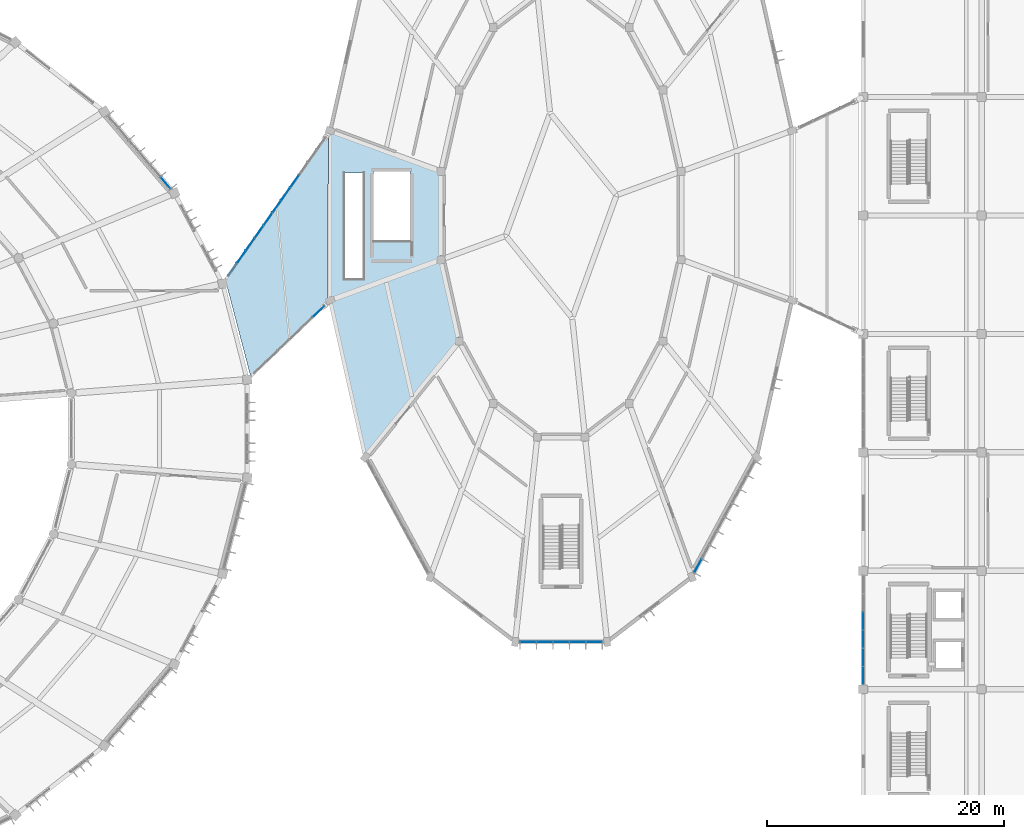
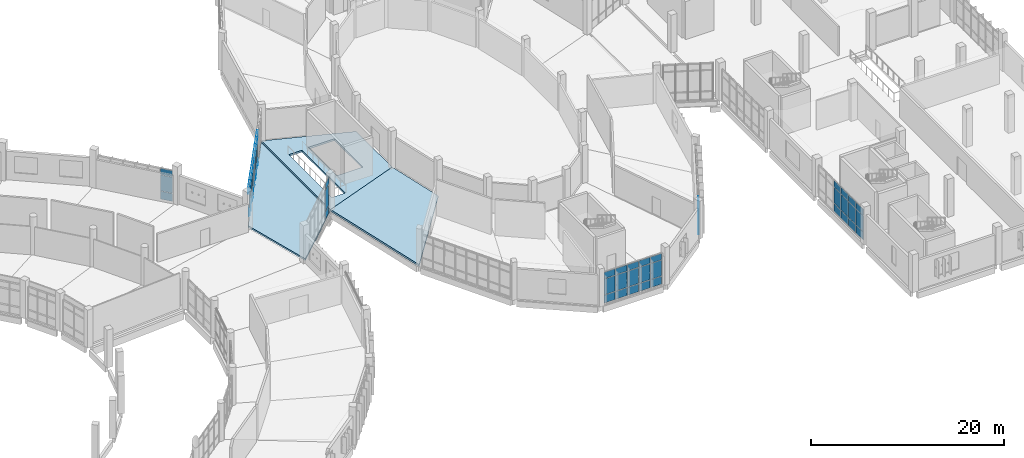
# One storey, part 100 of 179: 58 plates, 3 slabs, 6 elements without a shape of their own.
"""IFC4 building model written with IfcOpenShell, lengths in metres."""

from ifc_helpers import new_model, si_unit, direction, frame, origin, origin_2d, place, context, subcontext, project, spatial, polyline, rectangle, outline, extrude, material, layer, layer_set, type_object, element, aggregate, save


model = new_model("IFC4")

# Units and contexts
model_context = context("Model", 3, precision=1e-05, world=origin(), true_north=direction((0.0, 1.0)))
body_context = subcontext(model_context, "Body", "Model", "MODEL_VIEW")
ifc_project = project(units=[si_unit("LENGTHUNIT", "METRE"), si_unit("AREAUNIT", "SQUARE_METRE"), si_unit("VOLUMEUNIT", "CUBIC_METRE"), si_unit("PLANEANGLEUNIT", "RADIAN"), si_unit("MASSUNIT", "GRAM", prefix="KILO")], contexts=[model_context])

# Site, building, storey
site_placement = place(None, origin())
site = spatial("IfcSite", under=ifc_project, at=site_placement, CompositionType="ELEMENT")
building_placement = place(site_placement, origin())
building = spatial("IfcBuilding", under=site, at=building_placement, Name="Corvandel Quay Wholesale Market", CompositionType="ELEMENT")
storey_placement = place(building_placement, frame((0.0, 0.0, 6.0)))
storey = spatial("IfcBuildingStorey", under=building, at=storey_placement, Name="L01", CompositionType="ELEMENT", Elevation=6.0)

# Curtain wall, plate
ifc_material_1 = material(Name="Bronze anodised aluminium and low-E insulated glazing", Category="aluminium")
ifc_layer_1 = layer(ifc_material_1, 0.174072265625)
ifc_layer_set_1 = layer_set([ifc_layer_1], Name="Bronze anodised aluminium and low-E insulated glazing")
curtain_wall_type_1 = type_object("IfcCurtainWallType", Name="Stick Curtain Wall System CW07 H3630", PredefinedType="NOTDEFINED", material=ifc_layer_set_1)
curtain_wall_1_placement = place(storey_placement, origin())
curtain_wall_1 = element("IfcCurtainWall", 1, at=curtain_wall_1_placement, inside=storey, type_object=curtain_wall_type_1, Name="Curtain Wall CW-0006", PredefinedType="NOTDEFINED")
ifc_material_2 = material(Name="Solar-control low-E insulated glazing", Category="glass")
ifc_layer_2 = layer(ifc_material_2, 0.0400390625)
ifc_layer_set_2 = layer_set([ifc_layer_2], Name="Solar-control low-E insulated glazing")
plate_type_1 = type_object("IfcPlateType", Name="Ceramic Fritted Spandrel Panel PN03 40mm", PredefinedType="CURTAIN_PANEL", material=ifc_layer_set_2)
plate_1_placement = place(storey_placement, frame((161.1171875, 62.751708984375, 3.1298828125), z_axis=(0.0, 0.0, 1.0), x_axis=(-0.651568967347, 0.758589401976, 0.0)))
plate_1 = element("IfcPlate", 2, at=plate_1_placement, type_object=plate_type_1, Name="Glazing Panel CW-0006-P00-2", PredefinedType="CURTAIN_PANEL", context=body_context, shape_type="SweptSolid", body=[
    extrude(rectangle(XDim=1.29638671875, YDim=0.0400390625, at=origin_2d()), origin(), (0.0, 0.0, 1.0), 0.7900390625),
])

# Curtain wall, plates
ifc_layer_3 = layer(ifc_material_1, 0.162109375)
ifc_layer_set_3 = layer_set([ifc_layer_3], Name="Bronze anodised aluminium and low-E insulated glazing")
curtain_wall_type_2 = type_object("IfcCurtainWallType", Name="Stick Curtain Wall System CW21 H4890", PredefinedType="NOTDEFINED", material=ifc_layer_set_3)
curtain_wall_2_placement = place(storey_placement, origin())
curtain_wall_2 = element("IfcCurtainWall", 3, at=curtain_wall_2_placement, inside=storey, type_object=curtain_wall_type_2, Name="Curtain Wall CW-0138", PredefinedType="NOTDEFINED")
plate_2_placement = place(storey_placement, frame((191.716796875, 24.0, 3.1298828125), z_axis=(0.0, 0.0, 1.0), x_axis=(1.0, 0.0, 0.0)))
plate_2 = element("IfcPlate", 4, at=plate_2_placement, type_object=plate_type_1, Name="Glazing Panel CW-0138-P00-2", PredefinedType="CURTAIN_PANEL", context=body_context, shape_type="SweptSolid", body=[
    extrude(rectangle(XDim=1.32666015625, YDim=0.0400390625, at=origin_2d()), origin(), (0.0, 0.0, 1.0), 0.7900390625),
])
plate_3_placement = place(storey_placement, frame((193.1083984375, 24.0, 3.1298828125), z_axis=(0.0, 0.0, 1.0), x_axis=(1.0, 0.0, 0.0)))
plate_3 = element("IfcPlate", 5, at=plate_3_placement, type_object=plate_type_1, Name="Glazing Panel CW-0138-P01-2", PredefinedType="CURTAIN_PANEL", context=body_context, shape_type="SweptSolid", body=[
    extrude(rectangle(XDim=1.32666015625, YDim=0.0400390625, at=origin_2d()), origin(), (0.0, 0.0, 1.0), 0.7900390625),
])
plate_4_placement = place(storey_placement, frame((194.5, 24.0, 3.1298828125), z_axis=(0.0, 0.0, 1.0), x_axis=(1.0, 0.0, 0.0)))
plate_4 = element("IfcPlate", 6, at=plate_4_placement, type_object=plate_type_1, Name="Glazing Panel CW-0138-P02-2", PredefinedType="CURTAIN_PANEL", context=body_context, shape_type="SweptSolid", body=[
    extrude(rectangle(XDim=1.32666015625, YDim=0.0400390625, at=origin_2d()), origin(), (0.0, 0.0, 1.0), 0.7900390625),
])
plate_5_placement = place(storey_placement, frame((195.8916015625, 24.0, 3.1298828125), z_axis=(0.0, 0.0, 1.0), x_axis=(1.0, 0.0, 0.0)))
plate_5 = element("IfcPlate", 7, at=plate_5_placement, type_object=plate_type_1, Name="Glazing Panel CW-0138-P03-2", PredefinedType="CURTAIN_PANEL", context=body_context, shape_type="SweptSolid", body=[
    extrude(rectangle(XDim=1.32666015625, YDim=0.0400390625, at=origin_2d()), origin(), (0.0, 0.0, 1.0), 0.7900390625),
])
plate_6_placement = place(storey_placement, frame((197.283203125, 24.0, 3.1298828125), z_axis=(0.0, 0.0, 1.0), x_axis=(1.0, 0.0, 0.0)))
plate_6 = element("IfcPlate", 8, at=plate_6_placement, type_object=plate_type_1, Name="Glazing Panel CW-0138-P04-2", PredefinedType="CURTAIN_PANEL", context=body_context, shape_type="SweptSolid", body=[
    extrude(rectangle(XDim=1.32666015625, YDim=0.0400390625, at=origin_2d()), origin(), (0.0, 0.0, 1.0), 0.7900390625),
])

# Curtain wall, plate
ifc_layer_4 = layer(ifc_material_1, 0.18603515625)
ifc_layer_set_4 = layer_set([ifc_layer_4], Name="Bronze anodised aluminium and low-E insulated glazing")
curtain_wall_type_3 = type_object("IfcCurtainWallType", Name="Stick Curtain Wall System CW23 H5070", PredefinedType="NOTDEFINED", material=ifc_layer_set_4)
curtain_wall_3_placement = place(storey_placement, origin())
curtain_wall_3 = element("IfcCurtainWall", 9, at=curtain_wall_3_placement, inside=storey, type_object=curtain_wall_type_3, Name="Curtain Wall CW-0140", PredefinedType="NOTDEFINED")
plate_7_placement = place(storey_placement, frame((206.055419921875, 30.421630859375, 3.1298828125), z_axis=(0.0, 0.0, 1.0), x_axis=(0.476238203668, 0.879316310191, 0.0)))
plate_7 = element("IfcPlate", 10, at=plate_7_placement, type_object=plate_type_1, Name="Glazing Panel CW-0140-P00-2", PredefinedType="CURTAIN_PANEL", context=body_context, shape_type="SweptSolid", body=[
    extrude(rectangle(XDim=1.274658203125, YDim=0.0400390625, at=origin_2d()), origin(), (0.0, 0.0, 1.0), 0.7900390625),
])

# Curtain wall, plates
ifc_layer_5 = layer(ifc_material_1, 0.14990234375)
ifc_layer_set_5 = layer_set([ifc_layer_5], Name="Bronze anodised aluminium and low-E insulated glazing")
curtain_wall_type_4 = type_object("IfcCurtainWallType", Name="Stick Curtain Wall System CW20 H4800", PredefinedType="NOTDEFINED", material=ifc_layer_set_5)
curtain_wall_4_placement = place(storey_placement, origin())
curtain_wall_4 = element("IfcCurtainWall", 11, at=curtain_wall_4_placement, inside=storey, type_object=curtain_wall_type_4, Name="Curtain Wall CW-0150", PredefinedType="NOTDEFINED")
plate_8_placement = place(storey_placement, frame((220.0, 21.166748046875, 3.1298828125), z_axis=(0.0, 0.0, 1.0), x_axis=(0.0, 1.0, 0.0)))
plate_8 = element("IfcPlate", 12, at=plate_8_placement, type_object=plate_type_1, Name="Glazing Panel CW-0150-P00-2", PredefinedType="CURTAIN_PANEL", context=body_context, shape_type="SweptSolid", body=[
    extrude(rectangle(XDim=1.46826171875, YDim=0.0400390625, at=origin_2d()), origin(), (0.0, 0.0, 1.0), 0.7900390625),
])
plate_9_placement = place(storey_placement, frame((220.0, 22.699951171875, 3.1298828125), z_axis=(0.0, 0.0, 1.0), x_axis=(0.0, 1.0, 0.0)))
plate_9 = element("IfcPlate", 13, at=plate_9_placement, type_object=plate_type_1, Name="Glazing Panel CW-0150-P01-2", PredefinedType="CURTAIN_PANEL", context=body_context, shape_type="SweptSolid", body=[
    extrude(rectangle(XDim=1.46826171875, YDim=0.0400390625, at=origin_2d()), origin(), (0.0, 0.0, 1.0), 0.7900390625),
])
plate_10_placement = place(storey_placement, frame((220.0, 24.2333984375, 3.1298828125), z_axis=(0.0, 0.0, 1.0), x_axis=(0.0, 1.0, 0.0)))
plate_10 = element("IfcPlate", 14, at=plate_10_placement, type_object=plate_type_1, Name="Glazing Panel CW-0150-P02-2", PredefinedType="CURTAIN_PANEL", context=body_context, shape_type="SweptSolid", body=[
    extrude(rectangle(XDim=1.46826171875, YDim=0.0400390625, at=origin_2d()), origin(), (0.0, 0.0, 1.0), 0.7900390625),
])
plate_11_placement = place(storey_placement, frame((220.0, 25.7666015625, 3.1298828125), z_axis=(0.0, 0.0, 1.0), x_axis=(0.0, 1.0, 0.0)))
plate_11 = element("IfcPlate", 15, at=plate_11_placement, type_object=plate_type_1, Name="Glazing Panel CW-0150-P03-2", PredefinedType="CURTAIN_PANEL", context=body_context, shape_type="SweptSolid", body=[
    extrude(rectangle(XDim=1.46826171875, YDim=0.0400390625, at=origin_2d()), origin(), (0.0, 0.0, 1.0), 0.7900390625),
])

# Curtain wall, plate
ifc_layer_6 = layer(ifc_material_1, 0.14990234375)
ifc_layer_set_6 = layer_set([ifc_layer_6], Name="Bronze anodised aluminium and low-E insulated glazing")
curtain_wall_type_5 = type_object("IfcCurtainWallType", Name="Stick Curtain Wall System CW25 H5250", PredefinedType="NOTDEFINED", material=ifc_layer_set_6)
curtain_wall_5_placement = place(storey_placement, origin())
curtain_wall_5 = element("IfcCurtainWall", 16, at=curtain_wall_5_placement, inside=storey, type_object=curtain_wall_type_5, Name="Curtain Wall CW-0176", PredefinedType="NOTDEFINED")
plate_12_placement = place(storey_placement, frame((174.02392578125, 51.904296875, 3.7275390625), z_axis=(0.0, 0.0, 1.0), x_axis=(0.72236396206, 0.691513055782, 0.0)))
plate_12 = element("IfcPlate", 17, at=plate_12_placement, type_object=plate_type_1, Name="Glazing Panel CW-0176-P05-2", PredefinedType="CURTAIN_PANEL", context=body_context, shape_type="SweptSolid", body=[
    extrude(rectangle(XDim=1.312744140625, YDim=0.0400390625, at=origin_2d()), origin(), (0.0, 0.0, 1.0), 0.794921875),
])

# Curtain wall, plates
ifc_layer_7 = layer(ifc_material_1, 0.162109375)
ifc_layer_set_7 = layer_set([ifc_layer_7], Name="Bronze anodised aluminium and low-E insulated glazing")
curtain_wall_type_6 = type_object("IfcCurtainWallType", Name="Stick Curtain Wall System CW26 H5340", PredefinedType="NOTDEFINED", material=ifc_layer_set_7)
curtain_wall_6_placement = place(storey_placement, origin())
curtain_wall_6 = element("IfcCurtainWall", 18, at=curtain_wall_6_placement, inside=storey, type_object=curtain_wall_type_6, Name="Curtain Wall CW-0177", PredefinedType="NOTDEFINED")
plate_13_placement = place(storey_placement, frame((166.75390625, 55.43017578125, 3.7275390625), z_axis=(0.0, 0.0, 1.0), x_axis=(0.575148037348, 0.818049347616, 0.0)))
plate_13 = element("IfcPlate", 19, at=plate_13_placement, type_object=plate_type_1, Name="Glazing Panel CW-0177-P00-2", PredefinedType="CURTAIN_PANEL", context=body_context, shape_type="SweptSolid", body=[
    extrude(rectangle(XDim=1.2421875, YDim=0.0400390625, at=origin_2d()), origin(), (0.0, 0.0, 1.0), 0.794921875),
])
plate_14_placement = place(storey_placement, frame((167.502685546875, 56.49560546875, 3.7275390625), z_axis=(0.0, 0.0, 1.0), x_axis=(0.575148037348, 0.818049347616, 0.0)))
plate_14 = element("IfcPlate", 20, at=plate_14_placement, type_object=plate_type_1, Name="Glazing Panel CW-0177-P01-2", PredefinedType="CURTAIN_PANEL", context=body_context, shape_type="SweptSolid", body=[
    extrude(rectangle(XDim=1.2421875, YDim=0.0400390625, at=origin_2d()), origin(), (0.0, 0.0, 1.0), 0.794921875),
])
plate_15_placement = place(storey_placement, frame((168.251708984375, 57.560791015625, 3.7275390625), z_axis=(0.0, 0.0, 1.0), x_axis=(0.575148037348, 0.818049347616, 0.0)))
plate_15 = element("IfcPlate", 21, at=plate_15_placement, type_object=plate_type_1, Name="Glazing Panel CW-0177-P02-2", PredefinedType="CURTAIN_PANEL", context=body_context, shape_type="SweptSolid", body=[
    extrude(rectangle(XDim=1.2421875, YDim=0.0400390625, at=origin_2d()), origin(), (0.0, 0.0, 1.0), 0.794921875),
])
plate_16_placement = place(storey_placement, frame((169.00048828125, 58.626220703125, 3.7275390625), z_axis=(0.0, 0.0, 1.0), x_axis=(0.575148037348, 0.818049347616, 0.0)))
plate_16 = element("IfcPlate", 22, at=plate_16_placement, type_object=plate_type_1, Name="Glazing Panel CW-0177-P03-2", PredefinedType="CURTAIN_PANEL", context=body_context, shape_type="SweptSolid", body=[
    extrude(rectangle(XDim=1.2421875, YDim=0.0400390625, at=origin_2d()), origin(), (0.0, 0.0, 1.0), 0.794921875),
])
plate_17_placement = place(storey_placement, frame((169.74951171875, 59.691650390625, 3.7275390625), z_axis=(0.0, 0.0, 1.0), x_axis=(0.575148037348, 0.818049347616, 0.0)))
plate_17 = element("IfcPlate", 23, at=plate_17_placement, type_object=plate_type_1, Name="Glazing Panel CW-0177-P04-2", PredefinedType="CURTAIN_PANEL", context=body_context, shape_type="SweptSolid", body=[
    extrude(rectangle(XDim=1.2421875, YDim=0.0400390625, at=origin_2d()), origin(), (0.0, 0.0, 1.0), 0.794921875),
])
plate_18_placement = place(storey_placement, frame((170.498291015625, 60.757080078125, 3.7275390625), z_axis=(0.0, 0.0, 1.0), x_axis=(0.575148037348, 0.818049347616, 0.0)))
plate_18 = element("IfcPlate", 24, at=plate_18_placement, type_object=plate_type_1, Name="Glazing Panel CW-0177-P05-2", PredefinedType="CURTAIN_PANEL", context=body_context, shape_type="SweptSolid", body=[
    extrude(rectangle(XDim=1.2421875, YDim=0.0400390625, at=origin_2d()), origin(), (0.0, 0.0, 1.0), 0.794921875),
])
plate_19_placement = place(storey_placement, frame((171.247314453125, 61.822509765625, 3.7275390625), z_axis=(0.0, 0.0, 1.0), x_axis=(0.575148037348, 0.818049347616, 0.0)))
plate_19 = element("IfcPlate", 25, at=plate_19_placement, type_object=plate_type_1, Name="Glazing Panel CW-0177-P06-2", PredefinedType="CURTAIN_PANEL", context=body_context, shape_type="SweptSolid", body=[
    extrude(rectangle(XDim=1.2421875, YDim=0.0400390625, at=origin_2d()), origin(), (0.0, 0.0, 1.0), 0.794921875),
])
plate_20_placement = place(storey_placement, frame((171.996337890625, 62.887939453125, 3.7275390625), z_axis=(0.0, 0.0, 1.0), x_axis=(0.575148037348, 0.818049347616, 0.0)))
plate_20 = element("IfcPlate", 26, at=plate_20_placement, type_object=plate_type_1, Name="Glazing Panel CW-0177-P07-2", PredefinedType="CURTAIN_PANEL", context=body_context, shape_type="SweptSolid", body=[
    extrude(rectangle(XDim=1.2421875, YDim=0.0400390625, at=origin_2d()), origin(), (0.0, 0.0, 1.0), 0.794921875),
])

# Slabs
ifc_material_3 = material(Name="Precast concrete C45/55", Category="concrete")
ifc_layer_8 = layer(ifc_material_3, 0.219970703125)
ifc_layer_set_8 = layer_set([ifc_layer_8], Name="Precast concrete C45/55")
slab_type_1 = type_object("IfcSlabType", Name="Composite Precast Office Floor Slab 220", PredefinedType="FLOOR", material=ifc_layer_set_8)
slab_1_placement = place(storey_placement, frame((0.0, 0.0, -0.219970703125)))
element("IfcSlab", 27, at=slab_1_placement, inside=storey, type_object=slab_type_1, Name="Slab SLB-0481", PredefinedType="FLOOR", context=body_context, shape_type="SweptSolid", body=[
    extrude(outline(polyline([(168.281982421875, 46.406982421875), (174.80908203125, 52.656005859375), (174.847900390625, 66.944091796875), (166.14892578125, 54.570068359375), (168.281982421875, 46.406982421875)])), origin(), (0.0, 0.0, 1.0), 0.219970703125),
])
ifc_material_4 = material(Name="Concrete C40/50", Category="concrete")
ifc_layer_9 = layer(ifc_material_4, 0.239990234375)
ifc_layer_set_9 = layer_set([ifc_layer_9], Name="Concrete C40/50")
slab_type_2 = type_object("IfcSlabType", Name="Composite Raked Auction Tier Slab 240", PredefinedType="FLOOR", material=ifc_layer_set_9)
slab_2_placement = place(storey_placement, frame((0.0, 0.0, -0.239990234375)))
element("IfcSlab", 28, at=slab_2_placement, inside=storey, type_object=slab_type_2, Name="Slab SLB-0412", PredefinedType="FLOOR", context=body_context, shape_type="SweptSolid", body=[
    extrude(outline(polyline([(184.360107421875, 63.72412109375), (184.360107421875, 56.27587890625), (175.0, 52.839111328125), (175.0, 67.160888671875), (184.360107421875, 63.72412109375)]), holes=[polyline([(177.800048828125, 54.64990234375), (177.800048828125, 63.580078125), (176.199951171875, 63.580078125), (176.199951171875, 54.64990234375), (177.800048828125, 54.64990234375)]), polyline([(181.75, 57.800048828125), (181.75, 63.699951171875), (178.64990234375, 63.699951171875), (178.64990234375, 57.800048828125), (181.75, 57.800048828125)])]), origin(), (0.0, 0.0, 1.0), 0.239990234375),
])
slab_3_placement = place(storey_placement, frame((0.0, 0.0, -0.239990234375)))
element("IfcSlab", 29, at=slab_3_placement, inside=storey, type_object=slab_type_2, Name="Slab SLB-0416", PredefinedType="FLOOR", context=body_context, shape_type="SweptSolid", body=[
    extrude(outline(polyline([(184.360107421875, 56.27587890625), (185.904052734375, 49.39599609375), (177.968994140625, 39.60791015625), (175.0, 52.839111328125), (184.360107421875, 56.27587890625)])), origin(), (0.0, 0.0, 1.0), 0.239990234375),
])

# Plate
ifc_layer_10 = layer(ifc_material_2, 0.028076171875)
ifc_layer_set_10 = layer_set([ifc_layer_10], Name="Solar-control low-E insulated glazing")
plate_type_2 = type_object("IfcPlateType", Name="Double Low-E Vision Panel PN01 28mm", PredefinedType="CURTAIN_PANEL", material=ifc_layer_set_10)
plate_21_placement = place(storey_placement, frame((161.1171875, 62.751708984375, 0.02978515625), z_axis=(0.0, 0.0, 1.0), x_axis=(-0.651568967347, 0.758589401976, 0.0)))
plate_21 = element("IfcPlate", 30, at=plate_21_placement, type_object=plate_type_2, Name="Glazing Panel CW-0006-P00-0", PredefinedType="CURTAIN_PANEL", context=body_context, shape_type="SweptSolid", body=[
    extrude(rectangle(XDim=1.29638671875, YDim=0.028076171875, at=origin_2d()), origin(), (0.0, 0.0, 1.0), 0.989990234375),
])

plate_22_placement = place(storey_placement, frame((161.1171875, 62.751708984375, 1.080078125), z_axis=(0.0, 0.0, 1.0), x_axis=(-0.651568967347, 0.758589401976, 0.0)))
plate_22 = element("IfcPlate", 31, at=plate_22_placement, type_object=plate_type_2, Name="Glazing Panel CW-0006-P00-1", PredefinedType="CURTAIN_PANEL", context=body_context, shape_type="SweptSolid", body=[
    extrude(rectangle(XDim=1.29638671875, YDim=0.028076171875, at=origin_2d()), origin(), (0.0, 0.0, 1.0), 1.989990234375),
])

aggregate(curtain_wall_1, [plate_21, plate_22, plate_1])

plate_23_placement = place(storey_placement, frame((191.716796875, 24.0, 0.02978515625), z_axis=(0.0, 0.0, 1.0), x_axis=(1.0, 0.0, 0.0)))
plate_23 = element("IfcPlate", 32, at=plate_23_placement, type_object=plate_type_2, Name="Glazing Panel CW-0138-P00-0", PredefinedType="CURTAIN_PANEL", context=body_context, shape_type="SweptSolid", body=[
    extrude(rectangle(XDim=1.32666015625, YDim=0.028076171875, at=origin_2d()), origin(), (0.0, 0.0, 1.0), 0.989990234375),
])

plate_24_placement = place(storey_placement, frame((191.716796875, 24.0, 1.080078125), z_axis=(0.0, 0.0, 1.0), x_axis=(1.0, 0.0, 0.0)))
plate_24 = element("IfcPlate", 33, at=plate_24_placement, type_object=plate_type_2, Name="Glazing Panel CW-0138-P00-1", PredefinedType="CURTAIN_PANEL", context=body_context, shape_type="SweptSolid", body=[
    extrude(rectangle(XDim=1.32666015625, YDim=0.028076171875, at=origin_2d()), origin(), (0.0, 0.0, 1.0), 1.989990234375),
])

plate_25_placement = place(storey_placement, frame((193.1083984375, 24.0, 0.02978515625), z_axis=(0.0, 0.0, 1.0), x_axis=(1.0, 0.0, 0.0)))
plate_25 = element("IfcPlate", 34, at=plate_25_placement, type_object=plate_type_2, Name="Glazing Panel CW-0138-P01-0", PredefinedType="CURTAIN_PANEL", context=body_context, shape_type="SweptSolid", body=[
    extrude(rectangle(XDim=1.32666015625, YDim=0.028076171875, at=origin_2d()), origin(), (0.0, 0.0, 1.0), 0.989990234375),
])

plate_26_placement = place(storey_placement, frame((193.1083984375, 24.0, 1.080078125), z_axis=(0.0, 0.0, 1.0), x_axis=(1.0, 0.0, 0.0)))
plate_26 = element("IfcPlate", 35, at=plate_26_placement, type_object=plate_type_2, Name="Glazing Panel CW-0138-P01-1", PredefinedType="CURTAIN_PANEL", context=body_context, shape_type="SweptSolid", body=[
    extrude(rectangle(XDim=1.32666015625, YDim=0.028076171875, at=origin_2d()), origin(), (0.0, 0.0, 1.0), 1.989990234375),
])

plate_27_placement = place(storey_placement, frame((194.5, 24.0, 0.02978515625), z_axis=(0.0, 0.0, 1.0), x_axis=(1.0, 0.0, 0.0)))
plate_27 = element("IfcPlate", 36, at=plate_27_placement, type_object=plate_type_2, Name="Glazing Panel CW-0138-P02-0", PredefinedType="CURTAIN_PANEL", context=body_context, shape_type="SweptSolid", body=[
    extrude(rectangle(XDim=1.32666015625, YDim=0.028076171875, at=origin_2d()), origin(), (0.0, 0.0, 1.0), 0.989990234375),
])

plate_28_placement = place(storey_placement, frame((194.5, 24.0, 1.080078125), z_axis=(0.0, 0.0, 1.0), x_axis=(1.0, 0.0, 0.0)))
plate_28 = element("IfcPlate", 37, at=plate_28_placement, type_object=plate_type_2, Name="Glazing Panel CW-0138-P02-1", PredefinedType="CURTAIN_PANEL", context=body_context, shape_type="SweptSolid", body=[
    extrude(rectangle(XDim=1.32666015625, YDim=0.028076171875, at=origin_2d()), origin(), (0.0, 0.0, 1.0), 1.989990234375),
])

plate_29_placement = place(storey_placement, frame((195.8916015625, 24.0, 0.02978515625), z_axis=(0.0, 0.0, 1.0), x_axis=(1.0, 0.0, 0.0)))
plate_29 = element("IfcPlate", 38, at=plate_29_placement, type_object=plate_type_2, Name="Glazing Panel CW-0138-P03-0", PredefinedType="CURTAIN_PANEL", context=body_context, shape_type="SweptSolid", body=[
    extrude(rectangle(XDim=1.32666015625, YDim=0.028076171875, at=origin_2d()), origin(), (0.0, 0.0, 1.0), 0.989990234375),
])

plate_30_placement = place(storey_placement, frame((195.8916015625, 24.0, 1.080078125), z_axis=(0.0, 0.0, 1.0), x_axis=(1.0, 0.0, 0.0)))
plate_30 = element("IfcPlate", 39, at=plate_30_placement, type_object=plate_type_2, Name="Glazing Panel CW-0138-P03-1", PredefinedType="CURTAIN_PANEL", context=body_context, shape_type="SweptSolid", body=[
    extrude(rectangle(XDim=1.32666015625, YDim=0.028076171875, at=origin_2d()), origin(), (0.0, 0.0, 1.0), 1.989990234375),
])

plate_31_placement = place(storey_placement, frame((197.283203125, 24.0, 0.02978515625), z_axis=(0.0, 0.0, 1.0), x_axis=(1.0, 0.0, 0.0)))
plate_31 = element("IfcPlate", 40, at=plate_31_placement, type_object=plate_type_2, Name="Glazing Panel CW-0138-P04-0", PredefinedType="CURTAIN_PANEL", context=body_context, shape_type="SweptSolid", body=[
    extrude(rectangle(XDim=1.32666015625, YDim=0.028076171875, at=origin_2d()), origin(), (0.0, 0.0, 1.0), 0.989990234375),
])

plate_32_placement = place(storey_placement, frame((197.283203125, 24.0, 1.080078125), z_axis=(0.0, 0.0, 1.0), x_axis=(1.0, 0.0, 0.0)))
plate_32 = element("IfcPlate", 41, at=plate_32_placement, type_object=plate_type_2, Name="Glazing Panel CW-0138-P04-1", PredefinedType="CURTAIN_PANEL", context=body_context, shape_type="SweptSolid", body=[
    extrude(rectangle(XDim=1.32666015625, YDim=0.028076171875, at=origin_2d()), origin(), (0.0, 0.0, 1.0), 1.989990234375),
])

aggregate(curtain_wall_2, [plate_23, plate_24, plate_2, plate_25, plate_26, plate_3, plate_27, plate_28, plate_4, plate_29, plate_30, plate_5, plate_31, plate_32, plate_6])

plate_33_placement = place(storey_placement, frame((206.055419921875, 30.421630859375, 0.02978515625), z_axis=(0.0, 0.0, 1.0), x_axis=(0.476238203668, 0.879316310191, 0.0)))
plate_33 = element("IfcPlate", 42, at=plate_33_placement, type_object=plate_type_2, Name="Glazing Panel CW-0140-P00-0", PredefinedType="CURTAIN_PANEL", context=body_context, shape_type="SweptSolid", body=[
    extrude(rectangle(XDim=1.274658203125, YDim=0.028076171875, at=origin_2d()), origin(), (0.0, 0.0, 1.0), 0.989990234375),
])

plate_34_placement = place(storey_placement, frame((206.055419921875, 30.421630859375, 1.080078125), z_axis=(0.0, 0.0, 1.0), x_axis=(0.476238203668, 0.879316310191, 0.0)))
plate_34 = element("IfcPlate", 43, at=plate_34_placement, type_object=plate_type_2, Name="Glazing Panel CW-0140-P00-1", PredefinedType="CURTAIN_PANEL", context=body_context, shape_type="SweptSolid", body=[
    extrude(rectangle(XDim=1.274658203125, YDim=0.028076171875, at=origin_2d()), origin(), (0.0, 0.0, 1.0), 1.989990234375),
])

aggregate(curtain_wall_3, [plate_33, plate_34, plate_7])

plate_35_placement = place(storey_placement, frame((220.0, 21.166748046875, 0.02978515625), z_axis=(0.0, 0.0, 1.0), x_axis=(0.0, 1.0, 0.0)))
plate_35 = element("IfcPlate", 44, at=plate_35_placement, type_object=plate_type_2, Name="Glazing Panel CW-0150-P00-0", PredefinedType="CURTAIN_PANEL", context=body_context, shape_type="SweptSolid", body=[
    extrude(rectangle(XDim=1.46826171875, YDim=0.028076171875, at=origin_2d()), origin(), (0.0, 0.0, 1.0), 0.989990234375),
])

plate_36_placement = place(storey_placement, frame((220.0, 21.166748046875, 1.080078125), z_axis=(0.0, 0.0, 1.0), x_axis=(0.0, 1.0, 0.0)))
plate_36 = element("IfcPlate", 45, at=plate_36_placement, type_object=plate_type_2, Name="Glazing Panel CW-0150-P00-1", PredefinedType="CURTAIN_PANEL", context=body_context, shape_type="SweptSolid", body=[
    extrude(rectangle(XDim=1.46826171875, YDim=0.028076171875, at=origin_2d()), origin(), (0.0, 0.0, 1.0), 1.989990234375),
])

plate_37_placement = place(storey_placement, frame((220.0, 22.699951171875, 0.02978515625), z_axis=(0.0, 0.0, 1.0), x_axis=(0.0, 1.0, 0.0)))
plate_37 = element("IfcPlate", 46, at=plate_37_placement, type_object=plate_type_2, Name="Glazing Panel CW-0150-P01-0", PredefinedType="CURTAIN_PANEL", context=body_context, shape_type="SweptSolid", body=[
    extrude(rectangle(XDim=1.46826171875, YDim=0.028076171875, at=origin_2d()), origin(), (0.0, 0.0, 1.0), 0.989990234375),
])

plate_38_placement = place(storey_placement, frame((220.0, 22.699951171875, 1.080078125), z_axis=(0.0, 0.0, 1.0), x_axis=(0.0, 1.0, 0.0)))
plate_38 = element("IfcPlate", 47, at=plate_38_placement, type_object=plate_type_2, Name="Glazing Panel CW-0150-P01-1", PredefinedType="CURTAIN_PANEL", context=body_context, shape_type="SweptSolid", body=[
    extrude(rectangle(XDim=1.46826171875, YDim=0.028076171875, at=origin_2d()), origin(), (0.0, 0.0, 1.0), 1.989990234375),
])

plate_39_placement = place(storey_placement, frame((220.0, 24.2333984375, 0.02978515625), z_axis=(0.0, 0.0, 1.0), x_axis=(0.0, 1.0, 0.0)))
plate_39 = element("IfcPlate", 48, at=plate_39_placement, type_object=plate_type_2, Name="Glazing Panel CW-0150-P02-0", PredefinedType="CURTAIN_PANEL", context=body_context, shape_type="SweptSolid", body=[
    extrude(rectangle(XDim=1.46826171875, YDim=0.028076171875, at=origin_2d()), origin(), (0.0, 0.0, 1.0), 0.989990234375),
])

plate_40_placement = place(storey_placement, frame((220.0, 24.2333984375, 1.080078125), z_axis=(0.0, 0.0, 1.0), x_axis=(0.0, 1.0, 0.0)))
plate_40 = element("IfcPlate", 49, at=plate_40_placement, type_object=plate_type_2, Name="Glazing Panel CW-0150-P02-1", PredefinedType="CURTAIN_PANEL", context=body_context, shape_type="SweptSolid", body=[
    extrude(rectangle(XDim=1.46826171875, YDim=0.028076171875, at=origin_2d()), origin(), (0.0, 0.0, 1.0), 1.989990234375),
])

plate_41_placement = place(storey_placement, frame((220.0, 25.7666015625, 0.02978515625), z_axis=(0.0, 0.0, 1.0), x_axis=(0.0, 1.0, 0.0)))
plate_41 = element("IfcPlate", 50, at=plate_41_placement, type_object=plate_type_2, Name="Glazing Panel CW-0150-P03-0", PredefinedType="CURTAIN_PANEL", context=body_context, shape_type="SweptSolid", body=[
    extrude(rectangle(XDim=1.46826171875, YDim=0.028076171875, at=origin_2d()), origin(), (0.0, 0.0, 1.0), 0.989990234375),
])

plate_42_placement = place(storey_placement, frame((220.0, 25.7666015625, 1.080078125), z_axis=(0.0, 0.0, 1.0), x_axis=(0.0, 1.0, 0.0)))
plate_42 = element("IfcPlate", 51, at=plate_42_placement, type_object=plate_type_2, Name="Glazing Panel CW-0150-P03-1", PredefinedType="CURTAIN_PANEL", context=body_context, shape_type="SweptSolid", body=[
    extrude(rectangle(XDim=1.46826171875, YDim=0.028076171875, at=origin_2d()), origin(), (0.0, 0.0, 1.0), 1.989990234375),
])

aggregate(curtain_wall_4, [plate_35, plate_36, plate_8, plate_37, plate_38, plate_9, plate_39, plate_40, plate_10, plate_41, plate_42, plate_11])

plate_43_placement = place(storey_placement, frame((174.02392578125, 51.904296875, -0.00244140625), z_axis=(0.0, 0.0, 1.0), x_axis=(0.72236396206, 0.691513055782, 0.0)))
plate_43 = element("IfcPlate", 52, at=plate_43_placement, type_object=plate_type_2, Name="Glazing Panel CW-0176-P05-0", PredefinedType="CURTAIN_PANEL", context=body_context, shape_type="SweptSolid", body=[
    extrude(rectangle(XDim=1.312744140625, YDim=0.028076171875, at=origin_2d()), origin(), (0.0, 0.0, 1.0), 0.9951171875),
])

plate_44_placement = place(storey_placement, frame((174.02392578125, 51.904296875, 1.047607421875), z_axis=(0.0, 0.0, 1.0), x_axis=(0.72236396206, 0.691513055782, 0.0)))
plate_44 = element("IfcPlate", 53, at=plate_44_placement, type_object=plate_type_2, Name="Glazing Panel CW-0176-P05-1", PredefinedType="CURTAIN_PANEL", context=body_context, shape_type="SweptSolid", body=[
    extrude(rectangle(XDim=1.312744140625, YDim=0.028076171875, at=origin_2d()), origin(), (0.0, 0.0, 1.0), 2.625),
])

aggregate(curtain_wall_5, [plate_43, plate_44, plate_12])

plate_45_placement = place(storey_placement, frame((167.502685546875, 56.49560546875, -0.00244140625), z_axis=(0.0, 0.0, 1.0), x_axis=(0.575148037348, 0.818049347616, 0.0)))
plate_45 = element("IfcPlate", 54, at=plate_45_placement, type_object=plate_type_2, Name="Glazing Panel CW-0177-P01-0", PredefinedType="CURTAIN_PANEL", context=body_context, shape_type="SweptSolid", body=[
    extrude(rectangle(XDim=1.2421875, YDim=0.028076171875, at=origin_2d()), origin(), (0.0, 0.0, 1.0), 0.9951171875),
])

plate_46_placement = place(storey_placement, frame((167.502685546875, 56.49560546875, 1.047607421875), z_axis=(0.0, 0.0, 1.0), x_axis=(0.575148037348, 0.818049347616, 0.0)))
plate_46 = element("IfcPlate", 55, at=plate_46_placement, type_object=plate_type_2, Name="Glazing Panel CW-0177-P01-1", PredefinedType="CURTAIN_PANEL", context=body_context, shape_type="SweptSolid", body=[
    extrude(rectangle(XDim=1.2421875, YDim=0.028076171875, at=origin_2d()), origin(), (0.0, 0.0, 1.0), 2.625),
])

plate_47_placement = place(storey_placement, frame((168.251708984375, 57.560791015625, -0.00244140625), z_axis=(0.0, 0.0, 1.0), x_axis=(0.575148037348, 0.818049347616, 0.0)))
plate_47 = element("IfcPlate", 56, at=plate_47_placement, type_object=plate_type_2, Name="Glazing Panel CW-0177-P02-0", PredefinedType="CURTAIN_PANEL", context=body_context, shape_type="SweptSolid", body=[
    extrude(rectangle(XDim=1.2421875, YDim=0.028076171875, at=origin_2d()), origin(), (0.0, 0.0, 1.0), 0.9951171875),
])

plate_48_placement = place(storey_placement, frame((168.251708984375, 57.560791015625, 1.047607421875), z_axis=(0.0, 0.0, 1.0), x_axis=(0.575148037348, 0.818049347616, 0.0)))
plate_48 = element("IfcPlate", 57, at=plate_48_placement, type_object=plate_type_2, Name="Glazing Panel CW-0177-P02-1", PredefinedType="CURTAIN_PANEL", context=body_context, shape_type="SweptSolid", body=[
    extrude(rectangle(XDim=1.2421875, YDim=0.028076171875, at=origin_2d()), origin(), (0.0, 0.0, 1.0), 2.625),
])

plate_49_placement = place(storey_placement, frame((169.00048828125, 58.626220703125, -0.00244140625), z_axis=(0.0, 0.0, 1.0), x_axis=(0.575148037348, 0.818049347616, 0.0)))
plate_49 = element("IfcPlate", 58, at=plate_49_placement, type_object=plate_type_2, Name="Glazing Panel CW-0177-P03-0", PredefinedType="CURTAIN_PANEL", context=body_context, shape_type="SweptSolid", body=[
    extrude(rectangle(XDim=1.2421875, YDim=0.028076171875, at=origin_2d()), origin(), (0.0, 0.0, 1.0), 0.9951171875),
])

plate_50_placement = place(storey_placement, frame((169.00048828125, 58.626220703125, 1.047607421875), z_axis=(0.0, 0.0, 1.0), x_axis=(0.575148037348, 0.818049347616, 0.0)))
plate_50 = element("IfcPlate", 59, at=plate_50_placement, type_object=plate_type_2, Name="Glazing Panel CW-0177-P03-1", PredefinedType="CURTAIN_PANEL", context=body_context, shape_type="SweptSolid", body=[
    extrude(rectangle(XDim=1.2421875, YDim=0.028076171875, at=origin_2d()), origin(), (0.0, 0.0, 1.0), 2.625),
])

plate_51_placement = place(storey_placement, frame((169.74951171875, 59.691650390625, -0.00244140625), z_axis=(0.0, 0.0, 1.0), x_axis=(0.575148037348, 0.818049347616, 0.0)))
plate_51 = element("IfcPlate", 60, at=plate_51_placement, type_object=plate_type_2, Name="Glazing Panel CW-0177-P04-0", PredefinedType="CURTAIN_PANEL", context=body_context, shape_type="SweptSolid", body=[
    extrude(rectangle(XDim=1.2421875, YDim=0.028076171875, at=origin_2d()), origin(), (0.0, 0.0, 1.0), 0.9951171875),
])

plate_52_placement = place(storey_placement, frame((169.74951171875, 59.691650390625, 1.047607421875), z_axis=(0.0, 0.0, 1.0), x_axis=(0.575148037348, 0.818049347616, 0.0)))
plate_52 = element("IfcPlate", 61, at=plate_52_placement, type_object=plate_type_2, Name="Glazing Panel CW-0177-P04-1", PredefinedType="CURTAIN_PANEL", context=body_context, shape_type="SweptSolid", body=[
    extrude(rectangle(XDim=1.2421875, YDim=0.028076171875, at=origin_2d()), origin(), (0.0, 0.0, 1.0), 2.625),
])

plate_53_placement = place(storey_placement, frame((170.498291015625, 60.757080078125, -0.00244140625), z_axis=(0.0, 0.0, 1.0), x_axis=(0.575148037348, 0.818049347616, 0.0)))
plate_53 = element("IfcPlate", 62, at=plate_53_placement, type_object=plate_type_2, Name="Glazing Panel CW-0177-P05-0", PredefinedType="CURTAIN_PANEL", context=body_context, shape_type="SweptSolid", body=[
    extrude(rectangle(XDim=1.2421875, YDim=0.028076171875, at=origin_2d()), origin(), (0.0, 0.0, 1.0), 0.9951171875),
])

plate_54_placement = place(storey_placement, frame((170.498291015625, 60.757080078125, 1.047607421875), z_axis=(0.0, 0.0, 1.0), x_axis=(0.575148037348, 0.818049347616, 0.0)))
plate_54 = element("IfcPlate", 63, at=plate_54_placement, type_object=plate_type_2, Name="Glazing Panel CW-0177-P05-1", PredefinedType="CURTAIN_PANEL", context=body_context, shape_type="SweptSolid", body=[
    extrude(rectangle(XDim=1.2421875, YDim=0.028076171875, at=origin_2d()), origin(), (0.0, 0.0, 1.0), 2.625),
])

plate_55_placement = place(storey_placement, frame((171.247314453125, 61.822509765625, -0.00244140625), z_axis=(0.0, 0.0, 1.0), x_axis=(0.575148037348, 0.818049347616, 0.0)))
plate_55 = element("IfcPlate", 64, at=plate_55_placement, type_object=plate_type_2, Name="Glazing Panel CW-0177-P06-0", PredefinedType="CURTAIN_PANEL", context=body_context, shape_type="SweptSolid", body=[
    extrude(rectangle(XDim=1.2421875, YDim=0.028076171875, at=origin_2d()), origin(), (0.0, 0.0, 1.0), 0.9951171875),
])

plate_56_placement = place(storey_placement, frame((171.247314453125, 61.822509765625, 1.047607421875), z_axis=(0.0, 0.0, 1.0), x_axis=(0.575148037348, 0.818049347616, 0.0)))
plate_56 = element("IfcPlate", 65, at=plate_56_placement, type_object=plate_type_2, Name="Glazing Panel CW-0177-P06-1", PredefinedType="CURTAIN_PANEL", context=body_context, shape_type="SweptSolid", body=[
    extrude(rectangle(XDim=1.2421875, YDim=0.028076171875, at=origin_2d()), origin(), (0.0, 0.0, 1.0), 2.625),
])

plate_57_placement = place(storey_placement, frame((171.996337890625, 62.887939453125, -0.00244140625), z_axis=(0.0, 0.0, 1.0), x_axis=(0.575148037348, 0.818049347616, 0.0)))
plate_57 = element("IfcPlate", 66, at=plate_57_placement, type_object=plate_type_2, Name="Glazing Panel CW-0177-P07-0", PredefinedType="CURTAIN_PANEL", context=body_context, shape_type="SweptSolid", body=[
    extrude(rectangle(XDim=1.2421875, YDim=0.028076171875, at=origin_2d()), origin(), (0.0, 0.0, 1.0), 0.9951171875),
])

plate_58_placement = place(storey_placement, frame((171.996337890625, 62.887939453125, 1.047607421875), z_axis=(0.0, 0.0, 1.0), x_axis=(0.575148037348, 0.818049347616, 0.0)))
plate_58 = element("IfcPlate", 67, at=plate_58_placement, type_object=plate_type_2, Name="Glazing Panel CW-0177-P07-1", PredefinedType="CURTAIN_PANEL", context=body_context, shape_type="SweptSolid", body=[
    extrude(rectangle(XDim=1.2421875, YDim=0.028076171875, at=origin_2d()), origin(), (0.0, 0.0, 1.0), 2.625),
])

aggregate(curtain_wall_6, [plate_13, plate_45, plate_46, plate_14, plate_47, plate_48, plate_15, plate_49, plate_50, plate_16, plate_51, plate_52, plate_17, plate_53, plate_54, plate_18, plate_55, plate_56, plate_19, plate_57, plate_58, plate_20])

save(model, "model.ifc")
